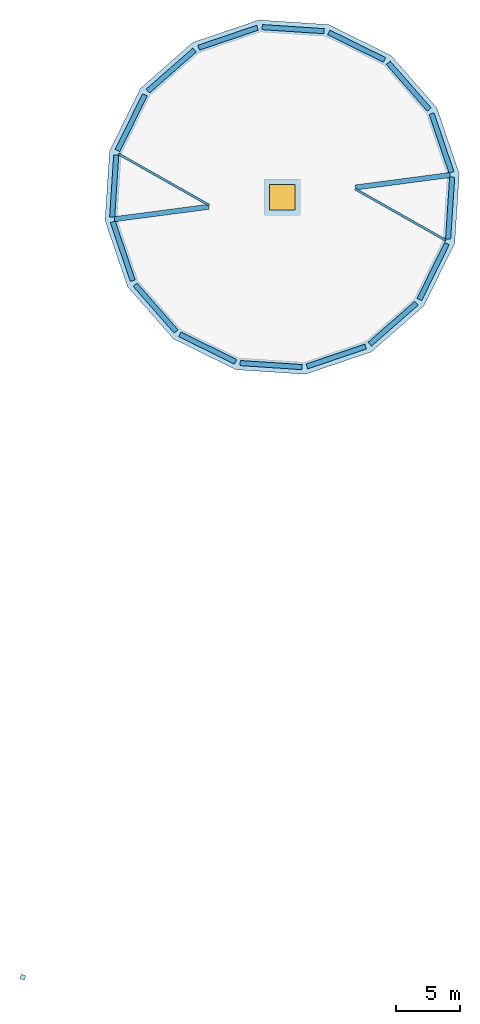
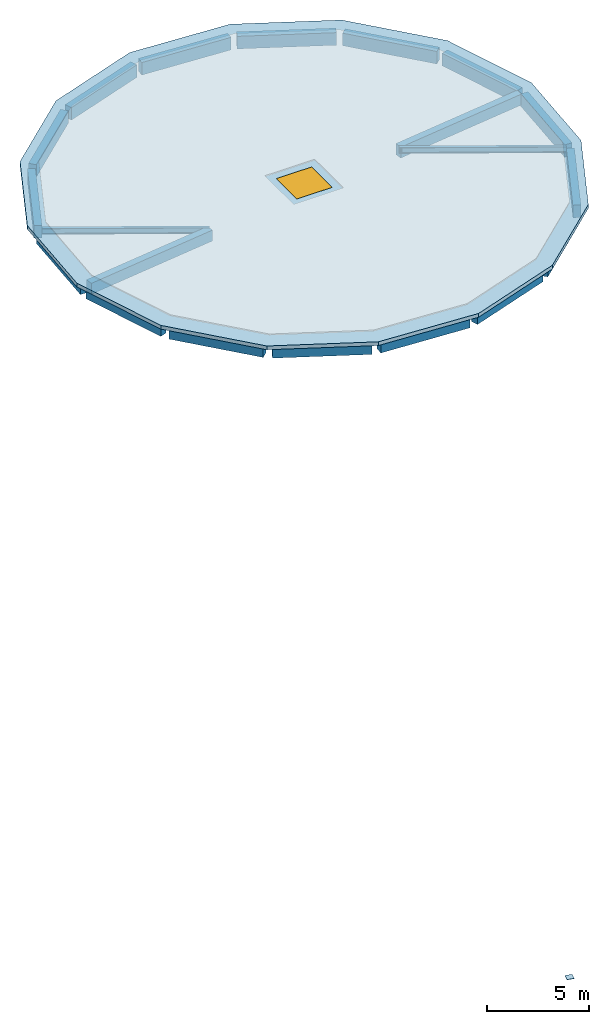
# One storey, part 1 of 2: 20 beams, 1 plate, 1 slab, 1 window, 1 opening.
"""IFC4 building model written with IfcOpenShell, lengths in metres."""

import ifcopenshell
import ifcopenshell.guid

model = None  # the IFC model being written
_history = None  # IfcOwnerHistory: only IFC2X3 demands one
_inside = {}  # id of a spatial element -> (the spatial element, [elements in it])
_under = {}  # id of a project, library or spatial element -> (it, [spatial elements below it])
_declared = {}  # id of a project -> (the project, [libraries it declares])
_typed = {}  # id of a type object -> (the type object, [elements of that type])
_made_of = {}  # id of a material, layer set ... -> (it, [elements and type objects made of it])


def new_model(schema):
    """Start an empty IFC model of exactly this schema.

    Asked for "IFC4X3", IfcOpenShell would pick the latest addendum, in which some entities
    have other attributes; the version numbers below select the first issue.
    IFC2X3 requires an IfcOwnerHistory on every rooted entity: one is made here for all.
    """
    global model, _history
    if schema == "IFC4X3":
        model = ifcopenshell.file(schema_version=(4, 3, 0, 0))
    else:
        model = ifcopenshell.file(schema=schema)
    _inside.clear()
    _under.clear()
    _declared.clear()
    _typed.clear()
    _made_of.clear()
    _history = None
    if model.schema == "IFC2X3":
        org = make("IfcOrganization", Name="unknown")
        user = make(
            "IfcPersonAndOrganization",
            ThePerson=make("IfcPerson", FamilyName="unknown"),
            TheOrganization=org,
        )
        app = make(
            "IfcApplication",
            ApplicationDeveloper=org,
            Version="unknown",
            ApplicationFullName="unknown",
            ApplicationIdentifier="unknown",
        )
        _history = make(
            "IfcOwnerHistory",
            OwningUser=user,
            OwningApplication=app,
            ChangeAction="ADDED",
            CreationDate=0,
        )
    return model


def make(cls, **values):
    """One entity of the class cls with the attributes given. An attribute that is None is left unset."""
    return model.create_entity(
        cls, **{name: value for name, value in values.items() if value is not None}
    )


def rooted(cls, **values):
    """An entity with a GlobalId (a new one), such as an element, a storey or a relation."""
    return make(cls, GlobalId=ifcopenshell.guid.new(), OwnerHistory=_history, **values)


def si_unit(unit_type, name, prefix=None):
    """IfcSIUnit, for example si_unit("LENGTHUNIT", "METRE", prefix="MILLI")."""
    return make("IfcSIUnit", UnitType=unit_type, Prefix=prefix, Name=name)


def assignment(units):
    """IfcUnitAssignment: the units of a project."""
    return None if units is None else make("IfcUnitAssignment", Units=units)


def point(xyz):
    """IfcCartesianPoint."""
    return None if xyz is None else make("IfcCartesianPoint", Coordinates=xyz)


def direction(xyz):
    """IfcDirection."""
    return None if xyz is None else make("IfcDirection", DirectionRatios=xyz)


def frame(location, z_axis=None, x_axis=None):
    """IfcAxis2Placement3D, a coordinate frame: its origin and axes. An axis left out is left unset."""
    return make(
        "IfcAxis2Placement3D",
        Location=point(location),
        Axis=direction(z_axis),
        RefDirection=direction(x_axis),
    )


def frame_2d(location, x_axis=None):
    """IfcAxis2Placement2D, a coordinate frame in the plane: its origin and x axis."""
    return make(
        "IfcAxis2Placement2D", Location=point(location), RefDirection=direction(x_axis)
    )


def origin():
    """The frame at (0, 0, 0) with its axes left unset."""
    return frame((0.0, 0.0, 0.0))


def origin_2d():
    """The frame at (0, 0) in the plane with its x axis left unset."""
    return frame_2d((0.0, 0.0))


def place(relative_to, where):
    """IfcLocalPlacement: puts the frame where relative to a parent placement (None: the world)."""
    return make(
        "IfcLocalPlacement", PlacementRelTo=relative_to, RelativePlacement=where
    )


def context(
    kind, dimensions, precision=None, world=None, true_north=None, identifier=None
):
    """IfcGeometricRepresentationContext, for example the 3D "Model" context."""
    return make(
        "IfcGeometricRepresentationContext",
        ContextIdentifier=identifier,
        ContextType=kind,
        CoordinateSpaceDimension=dimensions,
        Precision=precision,
        WorldCoordinateSystem=world,
        TrueNorth=true_north,
    )


def subcontext(parent, identifier, kind, view, scale=None):
    """IfcGeometricRepresentationSubContext, for example "Body" below "Model"."""
    return make(
        "IfcGeometricRepresentationSubContext",
        ContextIdentifier=identifier,
        ContextType=kind,
        ParentContext=parent,
        TargetScale=scale,
        TargetView=view,
    )


def project(units=None, contexts=None):
    """IfcProject with its units and contexts."""
    return rooted(
        "IfcProject",
        Name="project",
        RepresentationContexts=contexts,
        UnitsInContext=assignment(units),
    )


def spatial(cls, under=None, at=None, **own):
    """A site, building, storey or space (cls), placed at a placement, below another one or the project."""
    s = rooted(cls, ObjectPlacement=at, **own)
    if under is not None:
        _under.setdefault(under.id(), (under, []))[1].append(s)
    return s


def polyline(points):
    """IfcPolyline through the points."""
    return make("IfcPolyline", Points=[point(p) for p in points])


def profile(cls, at=None, kind="AREA", **sizes):
    """A parametric profile (cls). Its sizes go by their IFC names, for example OverallWidth=200.0."""
    return make(cls, ProfileType=kind, Position=at, **sizes)


def rectangle(**sizes):
    """IfcRectangleProfileDef."""
    return profile("IfcRectangleProfileDef", **sizes)


def i_section(**sizes):
    """IfcIShapeProfileDef."""
    return profile("IfcIShapeProfileDef", **sizes)


def outline(outer, holes=None, kind="AREA"):
    """IfcArbitraryClosedProfileDef: a profile drawn as a closed curve; with holes, ...WithVoids."""
    if holes is None:
        return make("IfcArbitraryClosedProfileDef", ProfileType=kind, OuterCurve=outer)
    return make(
        "IfcArbitraryProfileDefWithVoids",
        ProfileType=kind,
        OuterCurve=outer,
        InnerCurves=holes,
    )


def extrude(swept, where, along, depth):
    """IfcExtrudedAreaSolid: the profile swept, set in the frame where, extruded along a direction by depth."""
    return make(
        "IfcExtrudedAreaSolid",
        SweptArea=swept,
        Position=where,
        ExtrudedDirection=direction(along),
        Depth=depth,
    )


def shape(context_of_items, identifier, shape_type, items):
    """IfcShapeRepresentation: the items that make up one representation, for example the "Body"."""
    return make(
        "IfcShapeRepresentation",
        ContextOfItems=context_of_items,
        RepresentationIdentifier=identifier,
        RepresentationType=shape_type,
        Items=items,
    )


def material(Name=None, Category=None):
    """IfcMaterial."""
    return make("IfcMaterial", Name=Name, Category=Category)


def layer(
    of_material, thickness, ventilated=None, Name=None, Category=None, Priority=None
):
    """IfcMaterialLayer: one layer of a wall or slab, of a material (None: an air gap)."""
    return make(
        "IfcMaterialLayer",
        Material=of_material,
        LayerThickness=thickness,
        IsVentilated=ventilated,
        Name=Name,
        Category=Category,
        Priority=Priority,
    )


def layer_set(layers, Name=None):
    """IfcMaterialLayerSet."""
    return make("IfcMaterialLayerSet", MaterialLayers=layers, LayerSetName=Name)


def material_profile(
    of_material, cross_section, Name=None, Category=None, Priority=None
):
    """IfcMaterialProfile: a cross section and its material."""
    return make(
        "IfcMaterialProfile",
        Name=Name,
        Material=of_material,
        Profile=cross_section,
        Priority=Priority,
        Category=Category,
    )


def profile_set(profiles, Name=None, composite=None):
    """IfcMaterialProfileSet."""
    return make(
        "IfcMaterialProfileSet",
        Name=Name,
        MaterialProfiles=profiles,
        CompositeProfile=composite,
    )


def made_of(thing, what):
    """Note that an element or type object is made of a material, layer set ...; save() writes the relation."""
    if what is not None:
        _made_of.setdefault(what.id(), (what, []))[1].append(thing)
    return thing


def type_object(cls, material=None, **own):
    """A type object (cls), such as IfcWallType, which elements share."""
    return made_of(rooted(cls, **own), material)


def element(
    cls,
    number,
    at=None,
    inside=None,
    cuts=None,
    type_object=None,
    material=None,
    context=None,
    identifier="Body",
    shape_type=None,
    held_by="IfcProductDefinitionShape",
    body=None,
    shapes=None,
    **own,
):
    """One element of the class cls, such as IfcWall. Its Tag is "e" and its number.

    at: its placement. inside: the storey or other place that contains it. cuts: it is an
    opening in that element (IfcRelVoidsElement). A single representation is given by context,
    identifier, shape_type and body (its items); several are given by shapes. held_by: the class
    of the entity that holds the representations. save() writes the other relations.
    """
    e = rooted(cls, Tag="e%d" % number, ObjectPlacement=at, **own)
    if body is not None:
        shapes = [shape(context, identifier, shape_type, body)]
    if shapes is not None:
        e.Representation = make(held_by, Representations=shapes)
    if inside is not None:
        _inside.setdefault(inside.id(), (inside, []))[1].append(e)
    if cuts is not None:
        rooted(
            "IfcRelVoidsElement", RelatingBuildingElement=cuts, RelatedOpeningElement=e
        )
    if type_object is not None:
        _typed.setdefault(type_object.id(), (type_object, []))[1].append(e)
    return made_of(e, material)


def fill(opening, filler):
    """IfcRelFillsElement: the door or window that sits in an opening."""
    return rooted(
        "IfcRelFillsElement",
        RelatingOpeningElement=opening,
        RelatedBuildingElement=filler,
    )


def aggregate(whole, parts):
    """IfcRelAggregates: a whole, such as a stair, and the parts it consists of."""
    return rooted("IfcRelAggregates", RelatingObject=whole, RelatedObjects=parts)


def save(model, path):
    """Write the relations noted so far, then the file.

    IfcRelAggregates (storeys below a building ...), IfcRelContainedInSpatialStructure (elements
    in a storey), IfcRelDefinesByType, IfcRelAssociatesMaterial and IfcRelDeclares: one each for
    every whole, place, type object, material and project.
    """
    for whole, parts in _under.values():
        aggregate(whole, parts)
    for where, things in _inside.values():
        rooted(
            "IfcRelContainedInSpatialStructure",
            RelatedElements=things,
            RelatingStructure=where,
        )
    for kind, things in _typed.values():
        rooted("IfcRelDefinesByType", RelatedObjects=things, RelatingType=kind)
    for what, things in _made_of.values():
        rooted("IfcRelAssociatesMaterial", RelatedObjects=things, RelatingMaterial=what)
    for by, libraries in _declared.values():
        rooted("IfcRelDeclares", RelatingContext=by, RelatedDefinitions=libraries)
    model.write(path)


model = new_model("IFC4")

# Units and contexts
model_context = context("Model", 3, precision=1e-05, world=origin(), true_north=direction((0.0, 1.0)))
body_context = subcontext(model_context, "Body", "Model", "MODEL_VIEW")
ifc_project = project(units=[si_unit("LENGTHUNIT", "METRE"), si_unit("AREAUNIT", "SQUARE_METRE"), si_unit("VOLUMEUNIT", "CUBIC_METRE"), si_unit("PLANEANGLEUNIT", "RADIAN"), si_unit("MASSUNIT", "GRAM", prefix="KILO")], contexts=[model_context])

# Site, building, storey
site_placement = place(None, origin())
site = spatial("IfcSite", under=ifc_project, at=site_placement, CompositionType="ELEMENT")
building_placement = place(site_placement, origin())
building = spatial("IfcBuilding", under=site, at=building_placement, Name="Wrenclough Park School", CompositionType="ELEMENT")
storey_placement = place(building_placement, frame((0.0, 0.0, 24.800048828125)))
storey = spatial("IfcBuildingStorey", under=building, at=storey_placement, Name="RF", CompositionType="ELEMENT", Elevation=24.800048828125)

# Beams
ifc_material_1 = material(Name="Concrete C35/45", Category="concrete")
ifc_material_profile_1 = material_profile(ifc_material_1, rectangle(XDim=0.39990234375, YDim=0.64990234375, at=origin_2d()), Name="RC BEAM 400x650")
ifc_profile_set_1 = profile_set([ifc_material_profile_1], Name="Concrete C35/45")
beam_type_1 = type_object("IfcBeamType", Name="STR-BM-RC400A", PredefinedType="BEAM", material=ifc_profile_set_1)
for number, where, z_axis, x_axis, name in (
    (1, (187.64453125, 95.23046875, -0.550048828125), (-0.991447282084, -0.13050780378, 0.0), (0.13050780378, -0.991447282084, 0.0), "D5 RF inner radial beam 1"),
    (2, (161.35546875, 91.76953125, -0.550048828125), (0.991447282084, 0.13050780378, 0.0), (-0.13050780378, 0.991447282084, 0.0), "D5 RF inner radial beam 5"),
):
    element("IfcBeam", number, at=place(storey_placement, frame(where, z_axis=z_axis, x_axis=x_axis)), inside=storey, type_object=beam_type_1, Name=name, PredefinedType="BEAM", context=body_context, shape_type="SweptSolid", body=[
        extrude(rectangle(XDim=0.39990234375, YDim=0.64990234375, at=origin_2d()), origin(), (0.0, 0.0, 1.0), 7.466064453125),
    ])
ifc_material_profile_2 = material_profile(ifc_material_1, rectangle(XDim=0.39990234375, YDim=0.75, at=origin_2d()), Name="RC BEAM 400x750")
ifc_profile_set_2 = profile_set([ifc_material_profile_2], Name="Concrete C35/45")
beam_type_2 = type_object("IfcBeamType", Name="STR-BM-RC400B", PredefinedType="BEAM", material=ifc_profile_set_2)
for number, where, z_axis, x_axis, name in (
    (3, (187.773193359375, 95.4375, -0.60009765625), (-0.321448260267, 0.946927143962, 0.0), (-0.946927143962, -0.321448260267, 0.0), "D5 RF middle ring beam 1"),
    (4, (186.021484375, 100.369384765625, -0.60009765625), (-0.659364159426, 0.751823719541, 0.0), (-0.751823719541, -0.659364159426, 0.0), "D5 RF middle ring beam 2"),
    (5, (182.515625, 104.255615234375, -0.60009765625), (-0.896883144315, 0.442267594838, 0.0), (-0.442267594838, -0.896883144315, 0.0), "D5 RF middle ring beam 3"),
):
    element("IfcBeam", number, at=place(storey_placement, frame(where, z_axis=z_axis, x_axis=x_axis)), inside=storey, type_object=beam_type_2, Name=name, PredefinedType="BEAM", context=body_context, shape_type="SweptSolid", body=[
        extrude(rectangle(XDim=0.39990234375, YDim=0.75, at=origin_2d()), origin(), (0.0, 0.0, 1.0), 4.86376953125),
    ])
beam_1_placement = place(storey_placement, frame((177.78955078125, 106.50439453125, -0.60009765625), z_axis=(-0.997862211048, 0.065352947625, 0.0), x_axis=(-0.065352947625, -0.997862211048, 0.0)))
element("IfcBeam", 6, at=beam_1_placement, inside=storey, type_object=beam_type_2, Name="D5 RF middle ring beam 4", PredefinedType="BEAM", context=body_context, shape_type="SweptSolid", body=[
    extrude(rectangle(XDim=0.39990234375, YDim=0.75, at=origin_2d()), origin(), (0.0, 0.0, 1.0), 4.864013671875),
])
for number, where, z_axis, x_axis, name in (
    (7, (172.5625, 106.773193359375, -0.60009765625), (-0.946927143962, -0.321448260267, 0.0), (0.321448260267, -0.946927143962, 0.0), "D5 RF middle ring beam 5"),
    (8, (167.630615234375, 105.021484375, -0.60009765625), (-0.751823719541, -0.659364159426, 0.0), (0.659364159426, -0.751823719541, 0.0), "D5 RF middle ring beam 6"),
    (9, (163.744384765625, 101.515625, -0.60009765625), (-0.442267594838, -0.896883144315, 0.0), (0.896883144315, -0.442267594838, 0.0), "D5 RF middle ring beam 7"),
):
    element("IfcBeam", number, at=place(storey_placement, frame(where, z_axis=z_axis, x_axis=x_axis)), inside=storey, type_object=beam_type_2, Name=name, PredefinedType="BEAM", context=body_context, shape_type="SweptSolid", body=[
        extrude(rectangle(XDim=0.39990234375, YDim=0.75, at=origin_2d()), origin(), (0.0, 0.0, 1.0), 4.86376953125),
    ])
beam_2_placement = place(storey_placement, frame((161.49560546875, 96.78955078125, -0.60009765625), z_axis=(-0.065352947625, -0.997862211048, 0.0), x_axis=(0.997862211048, -0.065352947625, 0.0)))
element("IfcBeam", 10, at=beam_2_placement, inside=storey, type_object=beam_type_2, Name="D5 RF middle ring beam 8", PredefinedType="BEAM", context=body_context, shape_type="SweptSolid", body=[
    extrude(rectangle(XDim=0.39990234375, YDim=0.75, at=origin_2d()), origin(), (0.0, 0.0, 1.0), 4.864013671875),
])
for number, where, z_axis, x_axis, name in (
    (11, (161.226806640625, 91.5625, -0.60009765625), (0.321448260267, -0.946927143962, 0.0), (0.946927143962, 0.321448260267, 0.0), "D5 RF middle ring beam 9"),
    (12, (162.978515625, 86.630615234375, -0.60009765625), (0.659364159426, -0.751823719541, 0.0), (0.751823719541, 0.659364159426, 0.0), "D5 RF middle ring beam 10"),
    (13, (166.484375, 82.744384765625, -0.60009765625), (0.896883144315, -0.442267594838, 0.0), (0.442267594838, 0.896883144315, 0.0), "D5 RF middle ring beam 11"),
):
    element("IfcBeam", number, at=place(storey_placement, frame(where, z_axis=z_axis, x_axis=x_axis)), inside=storey, type_object=beam_type_2, Name=name, PredefinedType="BEAM", context=body_context, shape_type="SweptSolid", body=[
        extrude(rectangle(XDim=0.39990234375, YDim=0.75, at=origin_2d()), origin(), (0.0, 0.0, 1.0), 4.86376953125),
    ])
beam_3_placement = place(storey_placement, frame((171.21044921875, 80.49560546875, -0.60009765625), z_axis=(0.997862211048, -0.065352947625, 0.0), x_axis=(0.065352947625, 0.997862211048, 0.0)))
element("IfcBeam", 14, at=beam_3_placement, inside=storey, type_object=beam_type_2, Name="D5 RF middle ring beam 12", PredefinedType="BEAM", context=body_context, shape_type="SweptSolid", body=[
    extrude(rectangle(XDim=0.39990234375, YDim=0.75, at=origin_2d()), origin(), (0.0, 0.0, 1.0), 4.864013671875),
])
for number, where, z_axis, x_axis, name in (
    (15, (176.4375, 80.226806640625, -0.60009765625), (0.946927143962, 0.321448260267, 0.0), (-0.321448260267, 0.946927143962, 0.0), "D5 RF middle ring beam 13"),
    (16, (181.369384765625, 81.978515625, -0.60009765625), (0.751823719541, 0.659364159426, 0.0), (-0.659364159426, 0.751823719541, 0.0), "D5 RF middle ring beam 14"),
    (17, (185.255615234375, 85.484375, -0.60009765625), (0.442267594838, 0.896883144315, 0.0), (-0.896883144315, 0.442267594838, 0.0), "D5 RF middle ring beam 15"),
):
    element("IfcBeam", number, at=place(storey_placement, frame(where, z_axis=z_axis, x_axis=x_axis)), inside=storey, type_object=beam_type_2, Name=name, PredefinedType="BEAM", context=body_context, shape_type="SweptSolid", body=[
        extrude(rectangle(XDim=0.39990234375, YDim=0.75, at=origin_2d()), origin(), (0.0, 0.0, 1.0), 4.86376953125),
    ])
beam_4_placement = place(storey_placement, frame((187.50439453125, 90.21044921875, -0.60009765625), z_axis=(0.065352947625, 0.997862211048, 0.0), x_axis=(-0.997862211048, 0.065352947625, 0.0)))
element("IfcBeam", 18, at=beam_4_placement, inside=storey, type_object=beam_type_2, Name="D5 RF middle ring beam 16", PredefinedType="BEAM", context=body_context, shape_type="SweptSolid", body=[
    extrude(rectangle(XDim=0.39990234375, YDim=0.75, at=origin_2d()), origin(), (0.0, 0.0, 1.0), 4.864013671875),
])
ifc_material_2 = material(Name="Structural steel S355", Category="steel")
ifc_material_profile_3 = material_profile(ifc_material_2, i_section(OverallWidth=0.17138671875, OverallDepth=0.35498046875, WebThickness=0.00732421875, FlangeThickness=0.011474609375, FilletRadius=0.01025390625, at=origin_2d()), Name="UKB 356x171x51")
ifc_profile_set_3 = profile_set([ifc_material_profile_3], Name="Structural steel S355")
beam_type_3 = type_object("IfcBeamType", Name="STR-BM-UKB356", PredefinedType="JOIST", material=ifc_profile_set_3)
for number, where, z_axis, x_axis, name in (
    (19, (161.67529296875, 96.886474609375, -0.402587890625), (0.87021791507, -0.492667007512, 0.0), (0.492667007512, 0.87021791507, 0.0), "D5 RF secondary radial floor beam 7"),
    (20, (187.32470703125, 90.113525390625, -0.402587890625), (-0.87021791507, 0.492667007512, 0.0), (-0.492667007512, -0.87021791507, 0.0), "D5 RF secondary radial floor beam 15"),
):
    element("IfcBeam", number, at=place(storey_placement, frame(where, z_axis=z_axis, x_axis=x_axis)), inside=storey, type_object=beam_type_3, Name=name, PredefinedType="JOIST", context=body_context, shape_type="SweptSolid", body=[
        extrude(i_section(OverallWidth=0.17138671875, OverallDepth=0.35498046875, WebThickness=0.00732421875, FlangeThickness=0.011474609375, FilletRadius=0.01025390625, at=origin_2d()), origin(), (0.0, 0.0, 1.0), 8.1650390625),
    ])

# Plate
ifc_layer_1 = layer(ifc_material_2, 0.02197265625)
ifc_layer_set_1 = layer_set([ifc_layer_1], Name="Structural steel S355")
plate_type = type_object("IfcPlateType", Name="STR-PL-EP324", PredefinedType="SHEET", material=ifc_layer_set_1)
plate_placement = place(storey_placement, frame((154.1796875, 32.3740234375, -3.179931640625), z_axis=(0.0, 0.0, 1.0), x_axis=(0.970295726276, -0.2419218956, 0.0)))
element("IfcPlate", 21, at=plate_placement, inside=storey, type_object=plate_type, Name="Hollow steel column top sealing cap plate D1HR-1-2", PredefinedType="SHEET", context=body_context, shape_type="SweptSolid", body=[
    extrude(rectangle(XDim=0.3701171875, YDim=0.3701171875, at=origin_2d()), origin(), (0.0, 0.0, 1.0), 0.02197265625),
])

# Slab, opening, window
ifc_material_3 = material(Name="Concrete C32/40", Category="concrete")
ifc_layer_2 = layer(ifc_material_3, 0.22509765625)
ifc_layer_set_2 = layer_set([ifc_layer_2], Name="Concrete C32/40")
slab_type = type_object("IfcSlabType", Name="STR-SL-RF225", PredefinedType="ROOF", material=ifc_layer_set_2)
slab_placement = place(storey_placement, frame((0.0, 0.0, -0.22509765625)))
slab = element("IfcSlab", 22, at=slab_placement, inside=storey, type_object=slab_type, Name="D5 RF structural slab SLAB-D5-ROOF", PredefinedType="ROOF", context=body_context, shape_type="SweptSolid", body=[
    extrude(outline(polyline([(188.380126953125, 95.327392578125), (186.62451171875, 100.5), (183.022705078125, 104.60693359375), (178.12353515625, 107.02294921875), (172.672607421875, 107.380126953125), (167.5, 105.62451171875), (163.39306640625, 102.022705078125), (160.97705078125, 97.12353515625), (160.619873046875, 91.672607421875), (162.37548828125, 86.5), (165.977294921875, 82.39306640625), (170.87646484375, 79.97705078125), (176.327392578125, 79.619873046875), (181.5, 81.37548828125), (185.60693359375, 84.977294921875), (188.02294921875, 89.87646484375), (188.380126953125, 95.327392578125)])), origin(), (0.0, 0.0, 1.0), 0.22509765625),
])
opening_placement = place(slab_placement, frame((174.5, 93.5, -0.010009765625)))
opening = element("IfcOpeningElement", 23, at=opening_placement, cuts=slab, Name="Opening SK-05", PredefinedType="OPENING", context=body_context, shape_type="SweptSolid", body=[
    extrude(rectangle(XDim=2.0, YDim=2.0, at=origin_2d()), origin(), (0.0, 0.0, 1.0), 0.2451171875),
])
ifc_material_4 = material(Name="Thermally broken aluminium skylight glazing", Category="aluminium")
window_type = type_object("IfcWindowType", Name="ENV-SK-05", PartitioningType="SINGLE_PANEL", PredefinedType="SKYLIGHT", material=ifc_material_4)
placement = place(slab_placement, frame((174.5, 93.5, 0.0)))
window_placement = place(placement, frame((0.0, 0.0, 0.175048828125)))
window = element("IfcWindow", 24, at=window_placement, inside=storey, type_object=window_type, Name="Roof skylight or access hatch SK-D5-1", OverallHeight=2.0, OverallWidth=2.0, PartitioningType="SINGLE_PANEL", PredefinedType="SKYLIGHT", context=body_context, shape_type="SweptSolid", body=[
    extrude(rectangle(XDim=2.0, YDim=2.0, at=origin_2d()), origin(), (0.0, 0.0, 1.0), 0.050048828125),
])
fill(opening, window)

save(model, "model.ifc")
